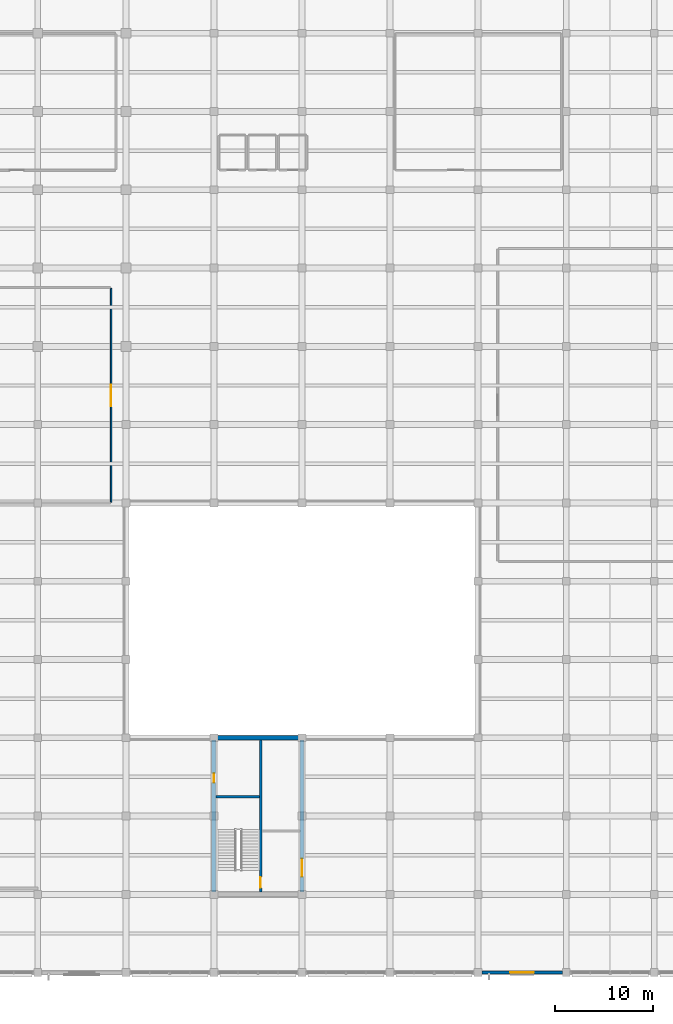
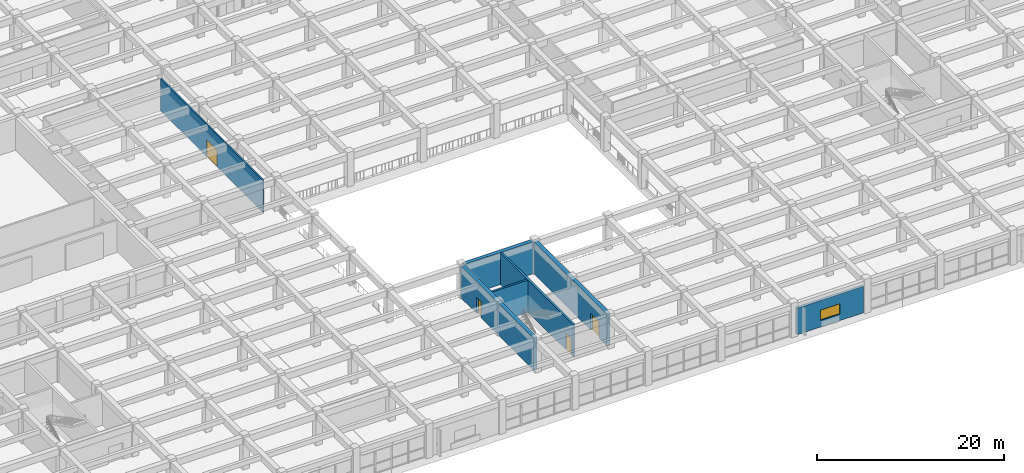
# One storey, part 27 of 50: 7 walls, 4 doors, 1 window, 5 openings.
"""IFC4 building model written with IfcOpenShell, lengths in metres."""

from ifc_helpers import new_model, si_unit, direction, frame, frame_2d, origin, place, context, subcontext, project, spatial, rectangle, extrude, material, layer, layer_set, type_object, element, fill, save


model = new_model("IFC4")

# Units and contexts
model_context = context("Model", 3, precision=1e-05, world=origin(), true_north=direction((0.0, 1.0)))
body_context = subcontext(model_context, "Body", "Model", "MODEL_VIEW")
ifc_project = project(units=[si_unit("LENGTHUNIT", "METRE"), si_unit("AREAUNIT", "SQUARE_METRE"), si_unit("VOLUMEUNIT", "CUBIC_METRE"), si_unit("PLANEANGLEUNIT", "RADIAN"), si_unit("MASSUNIT", "GRAM", prefix="KILO")], contexts=[model_context])

# Site, building, storey
site_placement = place(None, origin())
site = spatial("IfcSite", under=ifc_project, at=site_placement, CompositionType="ELEMENT")
building_placement = place(site_placement, origin())
building = spatial("IfcBuilding", under=site, at=building_placement, Name="Zaverband Oceanarium and Marine Research Institute", CompositionType="ELEMENT")
storey_placement = place(building_placement, frame((0.0, 0.0, 4.5)))
storey = spatial("IfcBuildingStorey", under=building, at=storey_placement, Name="L01", CompositionType="ELEMENT", Elevation=4.5)

# Wall
ifc_material_1 = material(Name="Concrete C50/60", Category="concrete")
ifc_layer_1 = layer(ifc_material_1, 0.449951171875, Name="Concrete C50/60")
ifc_layer_set_1 = layer_set([ifc_layer_1], Name="Concrete C50/60")
wall_type_1 = type_object("IfcWallType", Name="CW-02", PredefinedType="SHEAR", material=ifc_layer_set_1)
wall_1_placement = place(storey_placement, frame((81.22509765625, 24.0, 0.0), z_axis=(0.0, 0.0, 1.0), x_axis=(1.0, 0.0, 0.0)))
element("IfcWall", 1, at=wall_1_placement, inside=storey, type_object=wall_type_1, Name="Structural shear wall CW-02", PredefinedType="SHEAR", context=body_context, shape_type="SweptSolid", body=[
    extrude(rectangle(XDim=8.5498046875, YDim=0.449951171875, at=frame_2d((4.27490234375, 0.0))), origin(), (0.0, 0.0, 1.0), 4.179931640625),
])

# Wall, opening, door
wall_2_placement = place(storey_placement, frame((81.0, 8.22509765625, 0.0), z_axis=(0.0, 0.0, 1.0), x_axis=(0.0, 1.0, 0.0)))
wall_2 = element("IfcWall", 2, at=wall_2_placement, inside=storey, type_object=wall_type_1, Name="Structural shear wall CW-02", PredefinedType="SHEAR", context=body_context, shape_type="SweptSolid", body=[
    extrude(rectangle(XDim=15.5498046875, YDim=0.449951171875, at=frame_2d((7.77490234375, 0.0))), origin(), (0.0, 0.0, 1.0), 4.179931640625),
])
opening_1_placement = place(wall_2_placement, frame((11.199951171875, 0.0, 0.0)))
opening_1 = element("IfcOpeningElement", 3, at=opening_1_placement, cuts=wall_2, Name="Opening FD-03", PredefinedType="OPENING", context=body_context, shape_type="SweptSolid", body=[
    extrude(rectangle(XDim=0.949951171875, YDim=2.10009765625, at=frame_2d((0.47509765625, 1.050048828125))), frame((0.0, 0.23681640625, 0.0), z_axis=(0.0, -1.0, 0.0), x_axis=(1.0, 0.0, 0.0)), (0.0, 0.0, 1.0), 0.473876953125),
])
ifc_material_2 = material(Name="Steel S355", Category="steel")
door_type_1 = type_object("IfcDoorType", Name="FD-03", OperationType="NOTDEFINED", PredefinedType="DOOR", material=ifc_material_2)
door_1_placement = place(opening_1_placement, origin())
door_1 = element("IfcDoor", 4, at=door_1_placement, inside=storey, type_object=door_type_1, Name="Service riser access fire door FD-03", OperationType="SINGLE_SWING_RIGHT", OverallHeight=2.10009765625, OverallWidth=0.949951171875, PredefinedType="DOOR", context=body_context, shape_type="SweptSolid", body=[
    extrude(rectangle(XDim=0.949951171875, YDim=2.10009765625, at=frame_2d((0.47509765625, 1.050048828125))), frame((0.0, 0.02490234375, 0.0), z_axis=(0.0, -1.0, 0.0), x_axis=(1.0, 0.0, 0.0)), (0.0, 0.0, 1.0), 0.050048828125),
])
fill(opening_1, door_1)

wall_3_placement = place(storey_placement, frame((90.0, 8.22509765625, 0.0), z_axis=(0.0, 0.0, 1.0), x_axis=(0.0, 1.0, 0.0)))
wall_3 = element("IfcWall", 5, at=wall_3_placement, inside=storey, type_object=wall_type_1, Name="Structural shear wall CW-02", PredefinedType="SHEAR", context=body_context, shape_type="SweptSolid", body=[
    extrude(rectangle(XDim=15.5498046875, YDim=0.449951171875, at=frame_2d((7.77490234375, 0.0))), origin(), (0.0, 0.0, 1.0), 4.179931640625),
])
opening_2_placement = place(wall_3_placement, frame((1.60009765625, 0.0, 0.0)))
opening_2 = element("IfcOpeningElement", 6, at=opening_2_placement, cuts=wall_3, Name="Opening FD-02", PredefinedType="OPENING", context=body_context, shape_type="SweptSolid", body=[
    extrude(rectangle(XDim=1.800048828125, YDim=2.179931640625, at=frame_2d((0.89990234375, 1.08984375))), frame((0.0, 0.23681640625, 0.0), z_axis=(0.0, -1.0, 0.0), x_axis=(1.0, 0.0, 0.0)), (0.0, 0.0, 1.0), 0.473876953125),
])
door_type_2 = type_object("IfcDoorType", Name="FD-02", OperationType="DOUBLE_DOOR_SINGLE_SWING", PredefinedType="DOOR", material=ifc_material_2)
door_2_placement = place(opening_2_placement, origin())
door_2 = element("IfcDoor", 7, at=door_2_placement, inside=storey, type_object=door_type_2, Name="Protected lobby double fire door FD-02", OperationType="DOUBLE_DOOR_SINGLE_SWING", OverallHeight=2.179931640625, OverallWidth=1.800048828125, PredefinedType="DOOR", context=body_context, shape_type="SweptSolid", body=[
    extrude(rectangle(XDim=1.800048828125, YDim=2.179931640625, at=frame_2d((0.89990234375, 1.08984375))), frame((0.0, 0.02490234375, 0.0), z_axis=(0.0, -1.0, 0.0), x_axis=(1.0, 0.0, 0.0)), (0.0, 0.0, 1.0), 0.050048828125),
])
fill(opening_2, door_2)

# Wall, opening, window
ifc_material_3 = material(Name="Concrete C40/50 precast", Category="concrete")
ifc_layer_2 = layer(ifc_material_3, 0.31005859375, Name="Concrete C40/50 precast")
ifc_layer_set_2 = layer_set([ifc_layer_2], Name="Concrete C40/50 precast")
wall_type_2 = type_object("IfcWallType", Name="EW-310", PredefinedType="STANDARD", material=ifc_layer_set_2)
wall_4_placement = place(storey_placement, frame((108.405029296875, 0.0, 0.0), z_axis=(0.0, 0.0, 1.0), x_axis=(1.0, 0.0, 0.0)))
wall_4 = element("IfcWall", 8, at=wall_4_placement, inside=storey, type_object=wall_type_2, Name="Exterior infill wall EW-310", PredefinedType="STANDARD", context=body_context, shape_type="SweptSolid", body=[
    extrude(rectangle(XDim=8.18994140625, YDim=0.31005859375, at=frame_2d((4.094970703125, 0.0))), origin(), (0.0, 0.0, 1.0), 3.4599609375),
])
opening_3_placement = place(wall_4_placement, frame((2.89501953125, 0.0, 0.85009765625)))
opening_3 = element("IfcOpeningElement", 9, at=opening_3_placement, cuts=wall_4, Name="Opening WN-2400x1350", PredefinedType="OPENING", context=body_context, shape_type="SweptSolid", body=[
    extrude(rectangle(XDim=2.39990234375, YDim=1.35009765625, at=frame_2d((1.199951171875, 0.675048828125))), frame((0.0, 0.1669921875, 0.0), z_axis=(0.0, -1.0, 0.0), x_axis=(1.0, 0.0, 0.0)), (0.0, 0.0, 1.0), 0.333984375),
])
ifc_material_4 = material(Name="Thermally broken anodized aluminium and solar-control glass", Category="aluminium")
window_type = type_object("IfcWindowType", Name="WN-2400x1350", PartitioningType="SINGLE_PANEL", PredefinedType="WINDOW", material=ifc_material_4)
window_placement = place(opening_3_placement, origin())
window = element("IfcWindow", 10, at=window_placement, inside=storey, type_object=window_type, Name="Fixed / casement exterior window WN-2400x1350", OverallHeight=1.35009765625, OverallWidth=2.39990234375, PartitioningType="SINGLE_PANEL", PredefinedType="WINDOW", context=body_context, shape_type="SweptSolid", body=[
    extrude(rectangle(XDim=2.39990234375, YDim=1.35009765625, at=frame_2d((1.199951171875, 0.675048828125))), frame((0.0, 0.030029296875, 0.0), z_axis=(0.0, -1.0, 0.0), x_axis=(1.0, 0.0, 0.0)), (0.0, 0.0, 1.0), 0.06005859375),
])
fill(opening_3, window)

# Wall, opening, door
ifc_material_5 = material(Name="Corridor rated drywall partition")
ifc_layer_3 = layer(ifc_material_5, 0.1650390625, Name="Corridor rated drywall partition")
ifc_layer_set_3 = layer_set([ifc_layer_3], Name="Corridor rated drywall partition")
wall_type_3 = type_object("IfcWallType", Name="PT-165-CR", PredefinedType="PARTITIONING", material=ifc_layer_set_3)
wall_5_placement = place(storey_placement, frame((70.5, 48.08251953125, 0.0), z_axis=(0.0, 0.0, 1.0), x_axis=(0.0, 1.0, 0.0)))
wall_5 = element("IfcWall", 11, at=wall_5_placement, inside=storey, type_object=wall_type_3, Name="Internal partition PT-165-CR", PredefinedType="PARTITIONING", context=body_context, shape_type="SweptSolid", body=[
    extrude(rectangle(XDim=21.8349609375, YDim=0.1650390625, at=frame_2d((10.91748046875, 0.0))), origin(), (0.0, 0.0, 1.0), 4.179931640625),
])
opening_4_placement = place(wall_5_placement, frame((9.8173828125, 0.0, 0.0)))
opening_4 = element("IfcOpeningElement", 12, at=opening_4_placement, cuts=wall_5, Name="Opening ID-2200x2200", PredefinedType="OPENING", context=body_context, shape_type="SweptSolid", body=[
    extrude(rectangle(XDim=2.199951171875, YDim=2.199951171875, at=frame_2d((1.10009765625, 1.10009765625))), frame((0.0, 0.094482421875, 0.0), z_axis=(0.0, -1.0, 0.0), x_axis=(1.0, 0.0, 0.0)), (0.0, 0.0, 1.0), 0.18896484375),
])
ifc_material_6 = material(Name="Hardwood-veneered acoustic timber", Category="wood")
door_type_3 = type_object("IfcDoorType", Name="ID-2200x2200", OperationType="DOUBLE_DOOR_SINGLE_SWING", PredefinedType="DOOR", material=ifc_material_6)
door_3_placement = place(opening_4_placement, origin())
door_3 = element("IfcDoor", 13, at=door_3_placement, inside=storey, type_object=door_type_3, Name="Gallery double public door ID-2200x2200", OperationType="DOUBLE_DOOR_SINGLE_SWING", OverallHeight=2.199951171875, OverallWidth=2.199951171875, PredefinedType="DOOR", context=body_context, shape_type="SweptSolid", body=[
    extrude(rectangle(XDim=2.199951171875, YDim=2.199951171875, at=frame_2d((1.10009765625, 1.10009765625))), frame((0.0, 0.02490234375, 0.0), z_axis=(0.0, -1.0, 0.0), x_axis=(1.0, 0.0, 0.0)), (0.0, 0.0, 1.0), 0.050048828125),
])
fill(opening_4, door_3)

ifc_layer_4 = layer(ifc_material_1, 0.25, Name="Concrete C50/60")
ifc_layer_set_4 = layer_set([ifc_layer_4], Name="Concrete C50/60")
wall_type_4 = type_object("IfcWallType", Name="PW-CORE-250", PredefinedType="SOLIDWALL", material=ifc_layer_set_4)
wall_6_placement = place(storey_placement, frame((85.77490234375, 8.22509765625, 0.0), z_axis=(0.0, 0.0, 1.0), x_axis=(0.0, 1.0, 0.0)))
wall_6 = element("IfcWall", 14, at=wall_6_placement, inside=storey, type_object=wall_type_4, Name="Structural concrete wall PW-CORE-250", PredefinedType="SOLIDWALL", context=body_context, shape_type="SweptSolid", body=[
    extrude(rectangle(XDim=15.5498046875, YDim=0.25, at=frame_2d((7.77490234375, 0.0))), origin(), (0.0, 0.0, 1.0), 4.179931640625),
])
opening_5_placement = place(wall_6_placement, frame((0.449951171875, 0.0, 0.0)))
opening_5 = element("IfcOpeningElement", 15, at=opening_5_placement, cuts=wall_6, Name="Opening FD-01", PredefinedType="OPENING", context=body_context, shape_type="SweptSolid", body=[
    extrude(rectangle(XDim=1.10009765625, YDim=2.14990234375, at=frame_2d((0.550048828125, 1.074951171875))), frame((0.0, 0.136962890625, 0.0), z_axis=(0.0, -1.0, 0.0), x_axis=(1.0, 0.0, 0.0)), (0.0, 0.0, 1.0), 0.27392578125),
])
door_type_4 = type_object("IfcDoorType", Name="FD-01", OperationType="NOTDEFINED", PredefinedType="DOOR", material=ifc_material_2)
door_4_placement = place(opening_5_placement, origin())
door_4 = element("IfcDoor", 16, at=door_4_placement, inside=storey, type_object=door_type_4, Name="Core stair / lobby fire door FD-01", OperationType="SINGLE_SWING_RIGHT", OverallHeight=2.14990234375, OverallWidth=1.10009765625, PredefinedType="DOOR", context=body_context, shape_type="SweptSolid", body=[
    extrude(rectangle(XDim=1.10009765625, YDim=2.14990234375, at=frame_2d((0.550048828125, 1.074951171875))), frame((0.0, 0.02490234375, 0.0), z_axis=(0.0, -1.0, 0.0), x_axis=(1.0, 0.0, 0.0)), (0.0, 0.0, 1.0), 0.050048828125),
])
fill(opening_5, door_4)

# Wall
wall_7_placement = place(storey_placement, frame((81.22509765625, 17.97509765625, 0.0), z_axis=(0.0, 0.0, 1.0), x_axis=(1.0, 0.0, 0.0)))
element("IfcWall", 17, at=wall_7_placement, inside=storey, type_object=wall_type_4, Name="Structural concrete wall PW-CORE-250", PredefinedType="SOLIDWALL", context=body_context, shape_type="SweptSolid", body=[
    extrude(rectangle(XDim=4.419921875, YDim=0.25, at=frame_2d((2.2099609375, 0.0))), origin(), (0.0, 0.0, 1.0), 4.179931640625),
])

save(model, "model.ifc")
